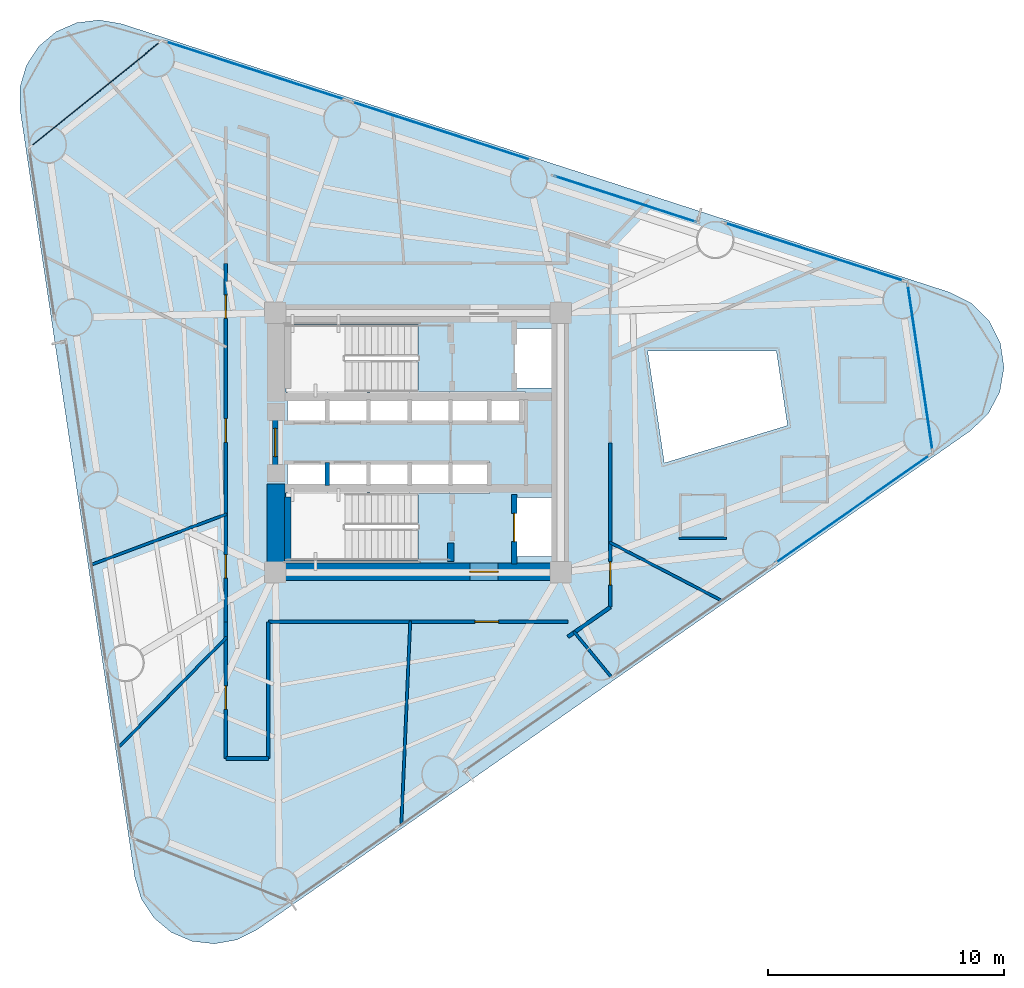
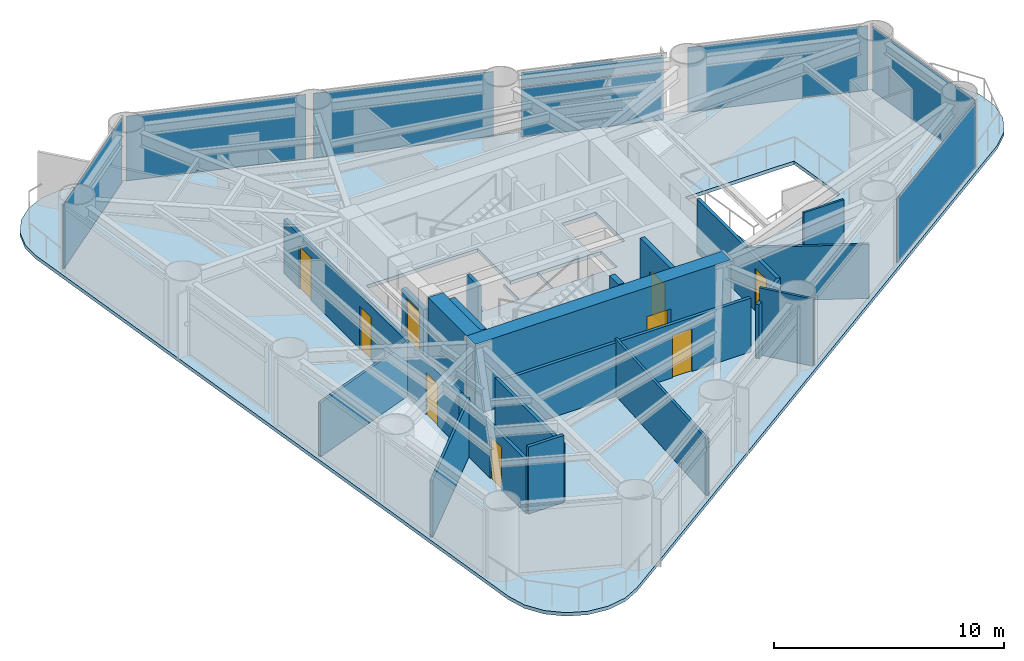
# One storey, part 5 of 9: 20 walls, 9 doors, 9 plates, 1 slab, 9 openings, 7 elements without a shape of their own.
"""IFC4 building model written with IfcOpenShell, lengths in metres."""

from ifc_helpers import new_model, si_unit, direction, frame, frame_2d, origin, origin_2d, place, context, subcontext, project, spatial, polyline, rectangle, outline, extrude, source, transform, mapped, material, layer, layer_set, type_object, element, fill, aggregate, save


model = new_model("IFC4")

# Units and contexts
model_context = context("Model", 3, precision=1e-05, world=origin(), true_north=direction((0.0, 1.0)))
body_context = subcontext(model_context, "Body", "Model", "MODEL_VIEW")
ifc_project = project(units=[si_unit("LENGTHUNIT", "METRE"), si_unit("AREAUNIT", "SQUARE_METRE"), si_unit("VOLUMEUNIT", "CUBIC_METRE"), si_unit("PLANEANGLEUNIT", "RADIAN"), si_unit("MASSUNIT", "GRAM", prefix="KILO")], contexts=[model_context])

# Site, building, storey
site_placement = place(None, origin())
site = spatial("IfcSite", under=ifc_project, at=site_placement, CompositionType="ELEMENT")
building_placement = place(site_placement, origin())
building = spatial("IfcBuilding", under=site, at=building_placement, Name="Yunling Apex Tower", CompositionType="ELEMENT")
storey_placement = place(building_placement, frame((0.0, 0.0, 77.300048828125)))
storey = spatial("IfcBuildingStorey", under=building, at=storey_placement, Name="L20", CompositionType="ELEMENT", Elevation=77.300048828125)

# Slab
ifc_material_1 = material(Name="Concrete C40", Category="concrete")
ifc_layer_1 = layer(ifc_material_1, 0.179931640625)
ifc_layer_set_1 = layer_set([ifc_layer_1], Name="Concrete C40")
slab_type = type_object("IfcSlabType", Name="SL-FLR-1", PredefinedType="FLOOR", material=ifc_layer_set_1)
slab_placement = place(storey_placement, frame((0.0, 0.0, -0.18505859375)))
element("IfcSlab", 1, at=slab_placement, inside=storey, type_object=slab_type, Name="L20 Composite Tower Floor Slab", PredefinedType="FLOOR", context=body_context, shape_type="SweptSolid", body=[
    extrude(outline(polyline([(-12.00732421875, -18.4326171875), (-11.730224609375, -19.349365234375), (-11.202392578125, -20.1484375), (-10.467529296875, -20.7626953125), (-9.587646484375, -21.14111328125), (-8.636474609375, -21.251708984375), (-7.693115234375, -21.08544921875), (-6.837158203125, -20.656005859375), (23.428955078125, 0.50537109375), (24.1796875, 1.231201171875), (24.6669921875, 2.155029296875), (24.842041015625, 3.184814453125), (24.687744140625, 4.217529296875), (24.21923828125, 5.15087890625), (23.483154296875, 5.89208984375), (22.552978515625, 6.36669921875), (-12.57763671875, 17.75439453125), (-13.521728515625, 17.914794921875), (-14.472412109375, 17.798095703125), (-15.349853515625, 17.414306640625), (-16.080810546875, 16.795166015625), (-16.603515625, 15.992919921875), (-16.875, 15.07421875), (-16.871826171875, 14.116455078125), (-12.00732421875, -18.4326171875)]), holes=[polyline([(15.192138671875, 3.88818359375), (15.6650390625, 0.723388671875), (10.442626953125, -0.865966796875), (9.733154296875, 3.88134765625), (15.192138671875, 3.88818359375)]), polyline([(5.81005859375, -2.320068359375), (5.81005859375, -4.840087890625), (4.090087890625, -4.840087890625), (4.090087890625, -2.320068359375), (5.81005859375, -2.320068359375)]), polyline([(5.81005859375, 4.840087890625), (5.81005859375, 2.320068359375), (4.090087890625, 2.320068359375), (4.090087890625, 4.840087890625), (5.81005859375, 4.840087890625)]), polyline([(4.534912109375, 0.794921875), (1.364990234375, 0.794921875), (1.364990234375, 2.1650390625), (4.534912109375, 2.1650390625), (4.534912109375, 0.794921875)]), polyline([(3.034912109375, -0.794921875), (3.034912109375, -2.1650390625), (1.364990234375, -2.1650390625), (1.364990234375, -0.794921875), (3.034912109375, -0.794921875)]), polyline([(-3.864990234375, -0.794921875), (-3.864990234375, -2.139892578125), (-3.8349609375, -2.139892578125), (-3.8349609375, -0.794921875), (-2.1650390625, -0.794921875), (-2.1650390625, -2.139892578125), (-2.034912109375, -2.139892578125), (-2.034912109375, -0.794921875), (-0.364990234375, -0.794921875), (-0.364990234375, -2.139892578125), (-0.3349609375, -2.139892578125), (-0.3349609375, -0.794921875), (1.3349609375, -0.794921875), (1.3349609375, -2.1650390625), (-0.010009765625, -2.1650390625), (-0.010009765625, -5.010009765625), (-5.60009765625, -5.010009765625), (-5.60009765625, -2.139892578125), (-5.534912109375, -2.139892578125), (-5.534912109375, -0.794921875), (-3.864990234375, -0.794921875)]), polyline([(-5.60009765625, 2.139892578125), (-5.60009765625, 5.010009765625), (-0.010009765625, 5.010009765625), (-0.010009765625, 2.1650390625), (1.3349609375, 2.1650390625), (1.3349609375, 0.794921875), (-0.3349609375, 0.794921875), (-0.3349609375, 2.139892578125), (-0.364990234375, 2.139892578125), (-0.364990234375, 0.794921875), (-2.034912109375, 0.794921875), (-2.034912109375, 2.139892578125), (-2.1650390625, 2.139892578125), (-2.1650390625, 0.794921875), (-3.8349609375, 0.794921875), (-3.8349609375, 2.139892578125), (-3.864990234375, 2.139892578125), (-3.864990234375, 0.794921875), (-5.534912109375, 0.794921875), (-5.534912109375, 2.139892578125), (-5.60009765625, 2.139892578125)])]), origin(), (0.0, 0.0, 1.0), 0.18505859375),
])

# Plate
ifc_material_2 = material(Name="Bronze anodised aluminium", Category="aluminium")
ifc_layer_2 = layer(ifc_material_2, 0.011962890625)
ifc_layer_set_2 = layer_set([ifc_layer_2], Name="Bronze anodised aluminium")
plate_type_1 = type_object("IfcPlateType", Name="SP-SHT-1", PredefinedType="SHEET", material=ifc_layer_set_2)
shared_shape_1 = source(origin(), body_context, "Body", "SweptSolid", [
    extrude(rectangle(XDim=1.800048828125, YDim=0.02392578125, at=origin_2d()), origin(), (0.0, 0.0, 1.0), 0.43994140625),
])
plate_1_placement = place(storey_placement, frame((8.7919921875, 10.32275390625, 3.1650390625), z_axis=(0.0, 0.0, 1.0), x_axis=(-0.951272019071, 0.30835295642, 0.0)))
element("IfcPlate", 2, at=plate_1_placement, inside=storey, type_object=plate_type_1, Name="SP-GRV-L20-F2", PredefinedType="SHEET", context=body_context, shape_type="MappedRepresentation", body=[
    mapped(shared_shape_1, transform((0.0, 0.0, 0.0), scale=1.0)),
])

# Curtain wall, plates
ifc_layer_3 = layer(ifc_material_2, 0.260009765625)
ifc_layer_set_3 = layer_set([ifc_layer_3], Name="Bronze anodised aluminium")
curtain_wall_type = type_object("IfcCurtainWallType", Name="CW-SYS-2", PredefinedType="NOTDEFINED", material=ifc_layer_set_3)
curtain_wall_1_placement = place(storey_placement, origin())
curtain_wall_1 = element("IfcCurtainWall", 3, at=curtain_wall_1_placement, inside=storey, type_object=curtain_wall_type, Name="CW-L20-F2-B2", PredefinedType="NOTDEFINED")
ifc_material_3 = material(Name="Bronze tinted low-E glass", Category="glass")
ifc_layer_4 = layer(ifc_material_3, 0.033935546875)
ifc_layer_set_4 = layer_set([ifc_layer_4], Name="Bronze tinted low-E glass")
plate_type_2 = type_object("IfcPlateType", Name="CW-PNL-2", PredefinedType="CURTAIN_PANEL", material=ifc_layer_set_4)
shared_shape_2 = source(origin(), body_context, "Body", "SweptSolid", [
    extrude(rectangle(XDim=6.315673828125, YDim=0.033935546875, at=origin_2d()), origin(), (0.0, 0.0, 1.0), 2.60400390625),
])
plate_2_placement = place(storey_placement, frame((8.7919921875, 10.32275390625, 0.07666015625), z_axis=(0.0, 0.0, 1.0), x_axis=(-0.951272336999, 0.308351975608, 0.0)))
plate_2 = element("IfcPlate", 4, at=plate_2_placement, type_object=plate_type_2, Name="CW-SYS-2 panel 1.1", PredefinedType="CURTAIN_PANEL", context=body_context, shape_type="MappedRepresentation", body=[
    mapped(shared_shape_2, transform((0.0, 0.0, 0.0), scale=1.0)),
])
shared_shape_3 = source(origin(), body_context, "Body", "SweptSolid", [
    extrude(rectangle(XDim=6.315673828125, YDim=0.033935546875, at=origin_2d()), origin(), (0.0, 0.0, 1.0), 0.739013671875),
])
plate_3_placement = place(storey_placement, frame((8.7919921875, 10.32275390625, 2.7490234375), z_axis=(0.0, 0.0, 1.0), x_axis=(-0.951272336999, 0.308351975608, 0.0)))
plate_3 = element("IfcPlate", 5, at=plate_3_placement, type_object=plate_type_2, Name="CW-SYS-2 panel 1.2", PredefinedType="CURTAIN_PANEL", context=body_context, shape_type="MappedRepresentation", body=[
    mapped(shared_shape_3, transform((0.0, 0.0, 0.0), scale=1.0)),
])
aggregate(curtain_wall_1, [plate_2, plate_3])

# Curtain wall, plate
curtain_wall_2_placement = place(storey_placement, origin())
curtain_wall_2 = element("IfcCurtainWall", 6, at=curtain_wall_2_placement, inside=storey, type_object=curtain_wall_type, Name="CW-L20-F1-B4", PredefinedType="NOTDEFINED")
shared_shape_4 = source(origin(), body_context, "Body", "SweptSolid", [
    extrude(rectangle(XDim=7.995849609375, YDim=0.033935546875, at=origin_2d()), origin(), (0.0, 0.0, 1.0), 3.41162109375),
])
plate_4_placement = place(storey_placement, frame((18.430419921875, -2.818603515625, 0.07666015625), z_axis=(0.0, 0.0, 1.0), x_axis=(0.819552319691, 0.573004358875, 0.0)))
plate_4 = element("IfcPlate", 7, at=plate_4_placement, type_object=plate_type_2, Name="CW-SYS-2 panel 1.1", PredefinedType="CURTAIN_PANEL", context=body_context, shape_type="MappedRepresentation", body=[
    mapped(shared_shape_4, transform((0.0, 0.0, 0.0), scale=1.0)),
])
aggregate(curtain_wall_2, [plate_4])

curtain_wall_3_placement = place(storey_placement, origin())
curtain_wall_3 = element("IfcCurtainWall", 8, at=curtain_wall_3_placement, inside=storey, type_object=curtain_wall_type, Name="CW-L20-F2-B1", PredefinedType="NOTDEFINED")
plate_5_placement = place(storey_placement, frame((16.801025390625, 8.083984375, 0.07666015625), z_axis=(0.0, 0.0, 1.0), x_axis=(-0.951270593784, 0.30835735341, 0.0)))
plate_5 = element("IfcPlate", 9, at=plate_5_placement, type_object=plate_type_2, Name="CW-SYS-2 panel 1.1", PredefinedType="CURTAIN_PANEL", context=body_context, shape_type="MappedRepresentation", body=[
    mapped(shared_shape_4, transform((0.0, 0.0, 0.0), scale=1.0)),
])
aggregate(curtain_wall_3, [plate_5])

curtain_wall_4_placement = place(storey_placement, origin())
curtain_wall_4 = element("IfcCurtainWall", 10, at=curtain_wall_4_placement, inside=storey, type_object=curtain_wall_type, Name="CW-L20-F2-B3", PredefinedType="NOTDEFINED")
plate_6_placement = place(storey_placement, frame((0.9921875, 13.20849609375, 0.07666015625), z_axis=(0.0, 0.0, 1.0), x_axis=(-0.951266994272, 0.308368457544, 0.0)))
plate_6 = element("IfcPlate", 11, at=plate_6_placement, type_object=plate_type_2, Name="CW-SYS-2 panel 1.1", PredefinedType="CURTAIN_PANEL", context=body_context, shape_type="MappedRepresentation", body=[
    mapped(shared_shape_4, transform((0.0, 0.0, 0.0), scale=1.0)),
])
aggregate(curtain_wall_4, [plate_6])

curtain_wall_5_placement = place(storey_placement, origin())
curtain_wall_5 = element("IfcCurtainWall", 12, at=curtain_wall_5_placement, inside=storey, type_object=curtain_wall_type, Name="CW-L20-F2-B4", PredefinedType="NOTDEFINED")
plate_7_placement = place(storey_placement, frame((-6.912109375, 15.770751953125, 0.07666015625), z_axis=(0.0, 0.0, 1.0), x_axis=(-0.951270593784, 0.30835735341, 0.0)))
plate_7 = element("IfcPlate", 13, at=plate_7_placement, type_object=plate_type_2, Name="CW-SYS-2 panel 1.1", PredefinedType="CURTAIN_PANEL", context=body_context, shape_type="MappedRepresentation", body=[
    mapped(shared_shape_4, transform((0.0, 0.0, 0.0), scale=1.0)),
])
aggregate(curtain_wall_5, [plate_7])

curtain_wall_6_placement = place(storey_placement, origin())
curtain_wall_6 = element("IfcCurtainWall", 14, at=curtain_wall_6_placement, inside=storey, type_object=curtain_wall_type, Name="CW-L20-CRN1", PredefinedType="NOTDEFINED")
shared_shape_5 = source(origin(), body_context, "Body", "SweptSolid", [
    extrude(rectangle(XDim=7.132080078125, YDim=0.033935546875, at=origin_2d()), origin(), (0.0, 0.0, 1.0), 3.41162109375),
])
plate_8_placement = place(storey_placement, frame((21.28564453125, 3.18115234375, 0.07666015625), z_axis=(0.0, 0.0, 1.0), x_axis=(-0.147798115278, 0.989017551472, 0.0)))
plate_8 = element("IfcPlate", 15, at=plate_8_placement, type_object=plate_type_2, Name="CW-SYS-2 panel 1.1", PredefinedType="CURTAIN_PANEL", context=body_context, shape_type="MappedRepresentation", body=[
    mapped(shared_shape_5, transform((0.0, 0.0, 0.0), scale=1.0)),
])
aggregate(curtain_wall_6, [plate_8])

curtain_wall_7_placement = place(storey_placement, origin())
curtain_wall_7 = element("IfcCurtainWall", 16, at=curtain_wall_7_placement, inside=storey, type_object=curtain_wall_type, Name="CW-L20-CRN2", PredefinedType="NOTDEFINED")
shared_shape_6 = source(origin(), body_context, "Body", "SweptSolid", [
    extrude(rectangle(XDim=7.043212890625, YDim=0.033935546875, at=origin_2d()), origin(), (0.0, 0.0, 1.0), 3.41162109375),
])
plate_9_placement = place(storey_placement, frame((-13.67041015625, 14.772705078125, 0.07666015625), z_axis=(0.0, 0.0, 1.0), x_axis=(-0.778148820322, -0.628079941911, 0.0)))
plate_9 = element("IfcPlate", 17, at=plate_9_placement, type_object=plate_type_2, Name="CW-SYS-2 panel 1.1", PredefinedType="CURTAIN_PANEL", context=body_context, shape_type="MappedRepresentation", body=[
    mapped(shared_shape_6, transform((0.0, 0.0, 0.0), scale=1.0)),
])
aggregate(curtain_wall_7, [plate_9])

# Wall, opening, door
ifc_material_4 = material(Name="Concrete C60", Category="concrete")
ifc_layer_5 = layer(ifc_material_4, 0.75)
ifc_layer_set_5 = layer_set([ifc_layer_5], Name="Concrete C60")
wall_type_1 = type_object("IfcWallType", Name="WL-COR-1", PredefinedType="SHEAR", material=ifc_layer_set_5)
wall_1_placement = place(storey_placement, frame((-6.39990234375, -5.47509765625, 0.0), z_axis=(0.0, 0.0, 1.0), x_axis=(1.0, 0.0, 0.0)))
wall_1 = element("IfcWall", 18, at=wall_1_placement, inside=storey, type_object=wall_type_1, Name="L20 South Core Shear Wall", PredefinedType="SHEAR", context=body_context, shape_type="SweptSolid", body=[
    extrude(rectangle(XDim=12.7998046875, YDim=0.75, at=frame_2d((6.39990234375, 0.0))), origin(), (0.0, 0.0, 1.0), 3.75),
])
opening_1_placement = place(wall_1_placement, frame((8.60009765625, 0.0, 0.0)))
opening_1 = element("IfcOpeningElement", 19, at=opening_1_placement, cuts=wall_1, Name="Opening DR-FFL-1", PredefinedType="OPENING", context=body_context, shape_type="SweptSolid", body=[
    extrude(rectangle(XDim=1.199951171875, YDim=2.199951171875, at=frame_2d((0.60009765625, 1.10009765625))), frame((0.0, 0.385009765625, 0.0), z_axis=(0.0, -1.0, 0.0), x_axis=(1.0, 0.0, 0.0)), (0.0, 0.0, 1.0), 0.77001953125),
])
ifc_material_5 = material(Name="Steel Q355B", Category="steel")
door_type_1 = type_object("IfcDoorType", Name="DR-FFL-1", OperationType="NOTDEFINED", PredefinedType="DOOR", material=ifc_material_5)
door_1_placement = place(opening_1_placement, origin())
door_1 = element("IfcDoor", 20, at=door_1_placement, inside=storey, type_object=door_type_1, Name="L20 South Firefighting Lobby Door", OperationType="SINGLE_SWING_RIGHT", OverallHeight=2.199951171875, OverallWidth=1.199951171875, PredefinedType="DOOR", context=body_context, shape_type="SweptSolid", body=[
    extrude(rectangle(XDim=1.199951171875, YDim=2.199951171875, at=frame_2d((0.60009765625, 1.10009765625))), frame((0.0, 0.02490234375, 0.0), z_axis=(0.0, -1.0, 0.0), x_axis=(1.0, 0.0, 0.0)), (0.0, 0.0, 1.0), 0.050048828125),
])
fill(opening_1, door_1)

# Walls
wall_2_placement = place(storey_placement, frame((-6.02490234375, -5.10009765625, 0.0), z_axis=(0.0, 0.0, 1.0), x_axis=(0.0, 1.0, 0.0)))
element("IfcWall", 21, at=wall_2_placement, inside=storey, type_object=wall_type_1, Name="L20 West-South Core Shear Wall", PredefinedType="SHEAR", context=body_context, shape_type="SweptSolid", body=[
    extrude(rectangle(XDim=3.35009765625, YDim=0.75, at=frame_2d((1.675048828125, 0.0))), origin(), (0.0, 0.0, 1.0), 3.75),
])
ifc_layer_6 = layer(ifc_material_1, 0.280029296875)
ifc_layer_set_6 = layer_set([ifc_layer_6], Name="Concrete C40")
wall_type_2 = type_object("IfcWallType", Name="WL-COR-8", PredefinedType="SHEAR", material=ifc_layer_set_6)
wall_3_placement = place(storey_placement, frame((-5.52001953125, -5.050048828125, 0.0), z_axis=(0.0, 0.0, 1.0), x_axis=(0.0, 1.0, 0.0)))
element("IfcWall", 22, at=wall_3_placement, inside=storey, type_object=wall_type_2, Name="L20 ST-2 West Landing Bearing Wall", PredefinedType="SHEAR", context=body_context, shape_type="SweptSolid", body=[
    extrude(rectangle(XDim=2.75, YDim=0.280029296875, at=frame_2d((1.375, 0.0))), origin(), (0.0, 0.0, 1.0), 3.75),
])
wall_4_placement = place(storey_placement, frame((1.3798828125, -5.050048828125, 0.0), z_axis=(0.0, 0.0, 1.0), x_axis=(0.0, 1.0, 0.0)))
element("IfcWall", 23, at=wall_4_placement, inside=storey, type_object=wall_type_2, Name="L20 ST-2 East Landing Bearing Pier", PredefinedType="SHEAR", context=body_context, shape_type="SweptSolid", body=[
    extrude(rectangle(XDim=0.800048828125, YDim=0.280029296875, at=frame_2d((0.39990234375, 0.0))), origin(), (0.0, 0.0, 1.0), 3.75),
])

# Wall, opening, door
ifc_material_6 = material(Name="Gypsum board acoustic partition")
ifc_layer_7 = layer(ifc_material_6, 0.159912109375)
ifc_layer_set_7 = layer_set([ifc_layer_7], Name="Gypsum board acoustic partition")
wall_type_3 = type_object("IfcWallType", Name="WL-PRT-1", PredefinedType="PARTITIONING", material=ifc_layer_set_7)
wall_5_placement = place(storey_placement, frame((-8.14990234375, -13.39990234375, 0.0), z_axis=(0.0, 0.0, 1.0), x_axis=(0.0, 1.0, 0.0)))
wall_5 = element("IfcWall", 24, at=wall_5_placement, inside=storey, type_object=wall_type_3, Name="WL-CORR-L20-01", PredefinedType="PARTITIONING", context=body_context, shape_type="SweptSolid", body=[
    extrude(rectangle(XDim=5.7998046875, YDim=0.159912109375, at=frame_2d((2.89990234375, 0.0))), origin(), (0.0, 0.0, 1.0), 2.849853515625),
])
opening_2_placement = place(wall_5_placement, frame((2.089599609375, 0.0, 0.0)))
opening_2 = element("IfcOpeningElement", 25, at=opening_2_placement, cuts=wall_5, Name="Opening DR-OFF-1", PredefinedType="OPENING", context=body_context, shape_type="SweptSolid", body=[
    extrude(rectangle(XDim=1.0, YDim=2.25, at=frame_2d((0.5, 1.125))), frame((0.0, 0.08984375, 0.0), z_axis=(0.0, -1.0, 0.0), x_axis=(1.0, 0.0, 0.0)), (0.0, 0.0, 1.0), 0.179931640625),
])
door_type_2 = type_object("IfcDoorType", Name="DR-OFF-1", OperationType="NOTDEFINED", PredefinedType="DOOR", material=ifc_material_2)
door_2_placement = place(opening_2_placement, origin())
door_2 = element("IfcDoor", 26, at=door_2_placement, inside=storey, type_object=door_type_2, Name="L20 Staff Fitness Club Door", OperationType="SINGLE_SWING_LEFT", OverallHeight=2.25, OverallWidth=1.0, PredefinedType="DOOR", context=body_context, shape_type="SweptSolid", body=[
    extrude(rectangle(XDim=1.0, YDim=2.25, at=frame_2d((0.5, 1.125))), frame((0.0, 0.02490234375, 0.0), z_axis=(0.0, -1.0, 0.0), x_axis=(1.0, 0.0, 0.0)), (0.0, 0.0, 1.0), 0.050048828125),
])
fill(opening_2, door_2)

# Wall, openings, doors
wall_6_placement = place(storey_placement, frame((-8.14990234375, -7.60009765625, 0.0), z_axis=(0.0, 0.0, 1.0), x_axis=(0.0, 1.0, 0.0)))
wall_6 = element("IfcWall", 27, at=wall_6_placement, inside=storey, type_object=wall_type_3, Name="WL-CORR-L20-02", PredefinedType="PARTITIONING", context=body_context, shape_type="SweptSolid", body=[
    extrude(rectangle(XDim=15.2001953125, YDim=0.159912109375, at=frame_2d((7.60009765625, 0.0))), origin(), (0.0, 0.0, 1.0), 2.849853515625),
])
opening_3_placement = place(wall_6_placement, frame((1.852783203125, 0.0, 0.0)))
opening_3 = element("IfcOpeningElement", 28, at=opening_3_placement, cuts=wall_6, Name="Opening DR-OFF-1", PredefinedType="OPENING", context=body_context, shape_type="SweptSolid", body=[
    extrude(rectangle(XDim=1.0, YDim=2.25, at=frame_2d((0.5, 1.125))), frame((0.0, 0.08984375, 0.0), z_axis=(0.0, -1.0, 0.0), x_axis=(1.0, 0.0, 0.0)), (0.0, 0.0, 1.0), 0.179931640625),
])
opening_4_placement = place(wall_6_placement, frame((7.613037109375, 0.0, 0.0)))
opening_4 = element("IfcOpeningElement", 29, at=opening_4_placement, cuts=wall_6, Name="Opening DR-OFF-1", PredefinedType="OPENING", context=body_context, shape_type="SweptSolid", body=[
    extrude(rectangle(XDim=1.0, YDim=2.25, at=frame_2d((0.5, 1.125))), frame((0.0, 0.08984375, 0.0), z_axis=(0.0, -1.0, 0.0), x_axis=(1.0, 0.0, 0.0)), (0.0, 0.0, 1.0), 0.179931640625),
])
opening_5_placement = place(wall_6_placement, frame((12.8623046875, 0.0, 0.0)))
opening_5 = element("IfcOpeningElement", 30, at=opening_5_placement, cuts=wall_6, Name="Opening DR-OFF-1", PredefinedType="OPENING", context=body_context, shape_type="SweptSolid", body=[
    extrude(rectangle(XDim=1.0, YDim=2.25, at=frame_2d((0.5, 1.125))), frame((0.0, 0.08984375, 0.0), z_axis=(0.0, -1.0, 0.0), x_axis=(1.0, 0.0, 0.0)), (0.0, 0.0, 1.0), 0.179931640625),
])
door_3_placement = place(opening_3_placement, origin())
door_3 = element("IfcDoor", 31, at=door_3_placement, inside=storey, type_object=door_type_2, Name="L20 Staff Fitness Club Door", OperationType="SINGLE_SWING_RIGHT", OverallHeight=2.25, OverallWidth=1.0, PredefinedType="DOOR", context=body_context, shape_type="SweptSolid", body=[
    extrude(rectangle(XDim=1.0, YDim=2.25, at=frame_2d((0.5, 1.125))), frame((0.0, 0.02490234375, 0.0), z_axis=(0.0, -1.0, 0.0), x_axis=(1.0, 0.0, 0.0)), (0.0, 0.0, 1.0), 0.050048828125),
])
fill(opening_3, door_3)
door_4_placement = place(opening_4_placement, origin())
door_4 = element("IfcDoor", 32, at=door_4_placement, inside=storey, type_object=door_type_2, Name="L20 Staff Fitness Club Door", OperationType="SINGLE_SWING_LEFT", OverallHeight=2.25, OverallWidth=1.0, PredefinedType="DOOR", context=body_context, shape_type="SweptSolid", body=[
    extrude(rectangle(XDim=1.0, YDim=2.25, at=frame_2d((0.5, 1.125))), frame((0.0, 0.02490234375, 0.0), z_axis=(0.0, -1.0, 0.0), x_axis=(1.0, 0.0, 0.0)), (0.0, 0.0, 1.0), 0.050048828125),
])
fill(opening_4, door_4)
door_5_placement = place(opening_5_placement, origin())
door_5 = element("IfcDoor", 33, at=door_5_placement, inside=storey, type_object=door_type_2, Name="L20 Staff Fitness Club Door", OperationType="SINGLE_SWING_RIGHT", OverallHeight=2.25, OverallWidth=1.0, PredefinedType="DOOR", context=body_context, shape_type="SweptSolid", body=[
    extrude(rectangle(XDim=1.0, YDim=2.25, at=frame_2d((0.5, 1.125))), frame((0.0, 0.02490234375, 0.0), z_axis=(0.0, -1.0, 0.0), x_axis=(1.0, 0.0, 0.0)), (0.0, 0.0, 1.0), 0.050048828125),
])
fill(opening_5, door_5)

# Wall, opening, door
wall_7_placement = place(storey_placement, frame((8.14990234375, -0.02001953125, 0.0), z_axis=(0.0, 0.0, 1.0), x_axis=(0.0, -1.0, 0.0)))
wall_7 = element("IfcWall", 34, at=wall_7_placement, inside=storey, type_object=wall_type_3, Name="WL-CORR-L20-12", PredefinedType="PARTITIONING", context=body_context, shape_type="SweptSolid", body=[
    extrude(rectangle(XDim=6.96044921875, YDim=0.159912109375, at=frame_2d((3.480224609375, 0.0))), origin(), (0.0, 0.0, 1.0), 2.849853515625),
])
opening_6_placement = place(wall_7_placement, frame((5.0234375, 0.0, 0.0)))
opening_6 = element("IfcOpeningElement", 35, at=opening_6_placement, cuts=wall_7, Name="Opening DR-OFF-1", PredefinedType="OPENING", context=body_context, shape_type="SweptSolid", body=[
    extrude(rectangle(XDim=1.0, YDim=2.25, at=frame_2d((0.5, 1.125))), frame((0.0, 0.08984375, 0.0), z_axis=(0.0, -1.0, 0.0), x_axis=(1.0, 0.0, 0.0)), (0.0, 0.0, 1.0), 0.179931640625),
])
door_6_placement = place(opening_6_placement, origin())
door_6 = element("IfcDoor", 36, at=door_6_placement, inside=storey, type_object=door_type_2, Name="L20 Document Archive Store Door", OperationType="SINGLE_SWING_LEFT", OverallHeight=2.25, OverallWidth=1.0, PredefinedType="DOOR", context=body_context, shape_type="SweptSolid", body=[
    extrude(rectangle(XDim=1.0, YDim=2.25, at=frame_2d((0.5, 1.125))), frame((0.0, 0.02490234375, 0.0), z_axis=(0.0, -1.0, 0.0), x_axis=(1.0, 0.0, 0.0)), (0.0, 0.0, 1.0), 0.050048828125),
])
fill(opening_6, door_6)

# Wall
wall_8_placement = place(storey_placement, frame((8.14990234375, -6.98046875, 0.0), z_axis=(0.0, 0.0, 1.0), x_axis=(-0.819513839239, -0.573059392468, 0.0)))
element("IfcWall", 37, at=wall_8_placement, inside=storey, type_object=wall_type_3, Name="WL-CORR-L20-13", PredefinedType="PARTITIONING", context=body_context, shape_type="SweptSolid", body=[
    extrude(rectangle(XDim=2.1962890625, YDim=0.159912109375, at=frame_2d((1.09814453125, 0.0))), origin(), (0.0, 0.0, 1.0), 2.849853515625),
])

# Wall, opening, door
wall_9_placement = place(storey_placement, frame((6.35009765625, -7.60009765625, 0.0), z_axis=(0.0, 0.0, 1.0), x_axis=(-1.0, 0.0, 0.0)))
wall_9 = element("IfcWall", 38, at=wall_9_placement, inside=storey, type_object=wall_type_3, Name="WL-CORR-L20-15", PredefinedType="PARTITIONING", context=body_context, shape_type="SweptSolid", body=[
    extrude(rectangle(XDim=12.7001953125, YDim=0.159912109375, at=frame_2d((6.35009765625, 0.0))), origin(), (0.0, 0.0, 1.0), 2.849853515625),
])
opening_7_placement = place(wall_9_placement, frame((2.9365234375, 0.0, 0.0)))
opening_7 = element("IfcOpeningElement", 39, at=opening_7_placement, cuts=wall_9, Name="Opening DR-OFF-1", PredefinedType="OPENING", context=body_context, shape_type="SweptSolid", body=[
    extrude(rectangle(XDim=1.0, YDim=2.25, at=frame_2d((0.5, 1.125))), frame((0.0, 0.08984375, 0.0), z_axis=(0.0, -1.0, 0.0), x_axis=(1.0, 0.0, 0.0)), (0.0, 0.0, 1.0), 0.179931640625),
])
door_7_placement = place(opening_7_placement, origin())
door_7 = element("IfcDoor", 40, at=door_7_placement, inside=storey, type_object=door_type_2, Name="L20 Staff Fitness Club Door", OperationType="SINGLE_SWING_RIGHT", OverallHeight=2.25, OverallWidth=1.0, PredefinedType="DOOR", context=body_context, shape_type="SweptSolid", body=[
    extrude(rectangle(XDim=1.0, YDim=2.25, at=frame_2d((0.5, 1.125))), frame((0.0, 0.02490234375, 0.0), z_axis=(0.0, -1.0, 0.0), x_axis=(1.0, 0.0, 0.0)), (0.0, 0.0, 1.0), 0.050048828125),
])
fill(opening_7, door_7)

# Walls
wall_10_placement = place(storey_placement, frame((-6.35009765625, -7.60009765625, 0.0), z_axis=(0.0, 0.0, 1.0), x_axis=(0.0, -1.0, 0.0)))
element("IfcWall", 41, at=wall_10_placement, inside=storey, type_object=wall_type_3, Name="WL-CORR-L20-16", PredefinedType="PARTITIONING", context=body_context, shape_type="SweptSolid", body=[
    extrude(rectangle(XDim=5.7998046875, YDim=0.159912109375, at=frame_2d((2.89990234375, 0.0))), origin(), (0.0, 0.0, 1.0), 3.050048828125),
])
wall_11_placement = place(storey_placement, frame((-6.35009765625, -13.39990234375, 0.0), z_axis=(0.0, 0.0, 1.0), x_axis=(-1.0, 0.0, 0.0)))
element("IfcWall", 42, at=wall_11_placement, inside=storey, type_object=wall_type_3, Name="WL-CORR-L20-17", PredefinedType="PARTITIONING", context=body_context, shape_type="SweptSolid", body=[
    extrude(rectangle(XDim=1.7998046875, YDim=0.159912109375, at=frame_2d((0.89990234375, 0.0))), origin(), (0.0, 0.0, 1.0), 3.544921875),
])
ifc_layer_8 = layer(ifc_material_6, 0.1201171875)
ifc_layer_set_8 = layer_set([ifc_layer_8], Name="Gypsum board acoustic partition")
wall_type_4 = type_object("IfcWallType", Name="WL-PRT-3", PredefinedType="PARTITIONING", material=ifc_layer_set_8)
wall_12_placement = place(storey_placement, frame((-8.110107421875, -3.0322265625, 0.0), z_axis=(0.0, 0.0, 1.0), x_axis=(-0.936670113357, -0.350212933433, 0.0)))
element("IfcWall", 43, at=wall_12_placement, inside=storey, type_object=wall_type_4, Name="WL-RAD-L20-03", PredefinedType="PARTITIONING", context=body_context, shape_type="SweptSolid", body=[
    extrude(rectangle(XDim=6.083740234375, YDim=0.1201171875, at=frame_2d((3.0419921875, 0.0))), origin(), (0.0, 0.0, 1.0), 2.849853515625),
])
wall_13_placement = place(storey_placement, frame((-8.110107421875, -8.252685546875, 0.0), z_axis=(0.0, 0.0, 1.0), x_axis=(-0.700886951804, -0.713272374897, 0.0)))
element("IfcWall", 44, at=wall_13_placement, inside=storey, type_object=wall_type_4, Name="WL-RAD-L20-04", PredefinedType="PARTITIONING", context=body_context, shape_type="SweptSolid", body=[
    extrude(rectangle(XDim=6.485107421875, YDim=0.1201171875, at=frame_2d((3.24267578125, 0.0))), origin(), (0.0, 0.0, 1.0), 3.010009765625),
])
wall_14_placement = place(storey_placement, frame((-0.330078125, -7.56005859375, 0.0), z_axis=(0.0, 0.0, 1.0), x_axis=(-0.043619614926, -0.999048211646, 0.0)))
element("IfcWall", 45, at=wall_14_placement, inside=storey, type_object=wall_type_4, Name="WL-RAD-L20-05", PredefinedType="PARTITIONING", context=body_context, shape_type="SweptSolid", body=[
    extrude(rectangle(XDim=8.59716796875, YDim=0.1201171875, at=frame_2d((4.298583984375, 0.0))), origin(), (0.0, 0.0, 1.0), 3.010009765625),
])
wall_15_placement = place(storey_placement, frame((6.604736328125, -8.01220703125, 0.0), z_axis=(0.0, 0.0, 1.0), x_axis=(0.636033986145, -0.771661045064, 0.0)))
element("IfcWall", 46, at=wall_15_placement, inside=storey, type_object=wall_type_4, Name="WL-RAD-L20-06", PredefinedType="PARTITIONING", context=body_context, shape_type="SweptSolid", body=[
    extrude(rectangle(XDim=2.48779296875, YDim=0.1201171875, at=frame_2d((1.243896484375, 0.0))), origin(), (0.0, 0.0, 1.0), 3.544921875),
])
wall_16_placement = place(storey_placement, frame((8.110107421875, -4.2216796875, 0.0), z_axis=(0.0, 0.0, 1.0), x_axis=(0.886984089822, -0.461799983112, 0.0)))
element("IfcWall", 47, at=wall_16_placement, inside=storey, type_object=wall_type_4, Name="WL-RAD-L20-07", PredefinedType="PARTITIONING", context=body_context, shape_type="SweptSolid", body=[
    extrude(rectangle(XDim=5.327392578125, YDim=0.1201171875, at=frame_2d((2.66357421875, 0.0))), origin(), (0.0, 0.0, 1.0), 2.849853515625),
])
ifc_layer_9 = layer(ifc_material_6, 0.10009765625)
ifc_layer_set_9 = layer_set([ifc_layer_9], Name="Gypsum board acoustic partition")
wall_type_5 = type_object("IfcWallType", Name="WL-PRT-4", PredefinedType="PARTITIONING", material=ifc_layer_set_9)
wall_17_placement = place(storey_placement, frame((13.070068359375, -4.055908203125, 0.0), z_axis=(0.0, 0.0, 1.0), x_axis=(-1.0, 0.0, 0.0)))
element("IfcWall", 48, at=wall_17_placement, inside=storey, type_object=wall_type_5, Name="WL-L20-WCAS", PredefinedType="PARTITIONING", context=body_context, shape_type="SweptSolid", body=[
    extrude(rectangle(XDim=2.0, YDim=0.10009765625, at=frame_2d((1.0, 0.0))), origin(), (0.0, 0.0, 1.0), 3.544921875),
])

# Wall, opening, door
ifc_material_7 = material(Name="Autoclaved aerated concrete masonry", Category="masonry")
ifc_layer_10 = layer(ifc_material_7, 0.219970703125)
ifc_layer_set_10 = layer_set([ifc_layer_10], Name="Autoclaved aerated concrete masonry")
wall_type_6 = type_object("IfcWallType", Name="WL-SHF-1", PredefinedType="PLUMBINGWALL", material=ifc_layer_set_10)
wall_18_placement = place(storey_placement, frame((-6.050048828125, -0.949951171875, 0.0), z_axis=(0.0, 0.0, 1.0), x_axis=(0.0, 1.0, 0.0)))
wall_18 = element("IfcWall", 49, at=wall_18_placement, inside=storey, type_object=wall_type_6, Name="WL-COR-WPORT-L20", PredefinedType="PLUMBINGWALL", context=body_context, shape_type="SweptSolid", body=[
    extrude(rectangle(XDim=1.89990234375, YDim=0.219970703125, at=frame_2d((0.949951171875, 0.0))), origin(), (0.0, 0.0, 1.0), 2.52490234375),
])
opening_8_placement = place(wall_18_placement, frame((0.35009765625, 0.0, 0.0)))
opening_8 = element("IfcOpeningElement", 50, at=opening_8_placement, cuts=wall_18, Name="Opening DR-FFL-1", PredefinedType="OPENING", context=body_context, shape_type="SweptSolid", body=[
    extrude(rectangle(XDim=1.199951171875, YDim=2.199951171875, at=frame_2d((0.60009765625, 1.10009765625))), frame((0.0, 0.1201171875, 0.0), z_axis=(0.0, -1.0, 0.0), x_axis=(1.0, 0.0, 0.0)), (0.0, 0.0, 1.0), 0.239990234375),
])
door_8_placement = place(opening_8_placement, origin())
door_8 = element("IfcDoor", 51, at=door_8_placement, inside=storey, type_object=door_type_1, Name="L20 Passenger Lift Lobby Entrance Door", OperationType="SINGLE_SWING_LEFT", OverallHeight=2.199951171875, OverallWidth=1.199951171875, PredefinedType="DOOR", context=body_context, shape_type="SweptSolid", body=[
    extrude(rectangle(XDim=1.199951171875, YDim=2.199951171875, at=frame_2d((0.60009765625, 1.10009765625))), frame((0.0, 0.02490234375, 0.0), z_axis=(0.0, -1.0, 0.0), x_axis=(1.0, 0.0, 0.0)), (0.0, 0.0, 1.0), 0.050048828125),
])
fill(opening_8, door_8)

wall_19_placement = place(storey_placement, frame((4.080078125, -5.14990234375, 0.0), z_axis=(0.0, 0.0, 1.0), x_axis=(0.0, 1.0, 0.0)))
wall_19 = element("IfcWall", 52, at=wall_19_placement, inside=storey, type_object=wall_type_6, Name="WL-FFL2-W-L20", PredefinedType="PLUMBINGWALL", context=body_context, shape_type="SweptSolid", body=[
    extrude(rectangle(XDim=2.949951171875, YDim=0.219970703125, at=frame_2d((1.47509765625, 0.0))), origin(), (0.0, 0.0, 1.0), 3.544921875),
])
opening_9_placement = place(wall_19_placement, frame((0.949951171875, 0.0, 0.0)))
opening_9 = element("IfcOpeningElement", 53, at=opening_9_placement, cuts=wall_19, Name="Opening LD-FFL-1", PredefinedType="OPENING", context=body_context, shape_type="SweptSolid", body=[
    extrude(rectangle(XDim=1.199951171875, YDim=2.25, at=frame_2d((0.60009765625, 1.125))), frame((0.0, 0.1201171875, 0.0), z_axis=(0.0, -1.0, 0.0), x_axis=(1.0, 0.0, 0.0)), (0.0, 0.0, 1.0), 0.239990234375),
])
door_type_3 = type_object("IfcDoorType", Name="LD-FFL-1", OperationType="DOUBLE_DOOR_SLIDING", PredefinedType="DOOR", material=ifc_material_5)
door_9_placement = place(opening_9_placement, origin())
door_9 = element("IfcDoor", 54, at=door_9_placement, inside=storey, type_object=door_type_3, Name="L20 Lift FFL-2 Landing Door", OperationType="DOUBLE_DOOR_SLIDING", OverallHeight=2.25, OverallWidth=1.199951171875, PredefinedType="DOOR", context=body_context, shape_type="SweptSolid", body=[
    extrude(rectangle(XDim=1.199951171875, YDim=2.25, at=frame_2d((0.60009765625, 1.125))), frame((0.0, 0.02490234375, 0.0), z_axis=(0.0, -1.0, 0.0), x_axis=(1.0, 0.0, 0.0)), (0.0, 0.0, 1.0), 0.050048828125),
])
fill(opening_9, door_9)

# Wall
ifc_layer_11 = layer(ifc_material_7, 0.179931640625)
ifc_layer_set_11 = layer_set([ifc_layer_11], Name="Autoclaved aerated concrete masonry")
wall_type_7 = type_object("IfcWallType", Name="WL-SHF-2", PredefinedType="PLUMBINGWALL", material=ifc_layer_set_11)
wall_20_placement = place(storey_placement, frame((-3.85009765625, -1.820068359375, 0.0), z_axis=(0.0, 0.0, 1.0), x_axis=(0.0, 1.0, 0.0)))
element("IfcWall", 55, at=wall_20_placement, inside=storey, type_object=wall_type_7, Name="WL-DIV-L34-L20", PredefinedType="PLUMBINGWALL", context=body_context, shape_type="SweptSolid", body=[
    extrude(rectangle(XDim=0.97998046875, YDim=0.179931640625, at=frame_2d((0.489990234375, 0.0))), origin(), (0.0, 0.0, 1.0), 3.544921875),
])

save(model, "model.ifc")
